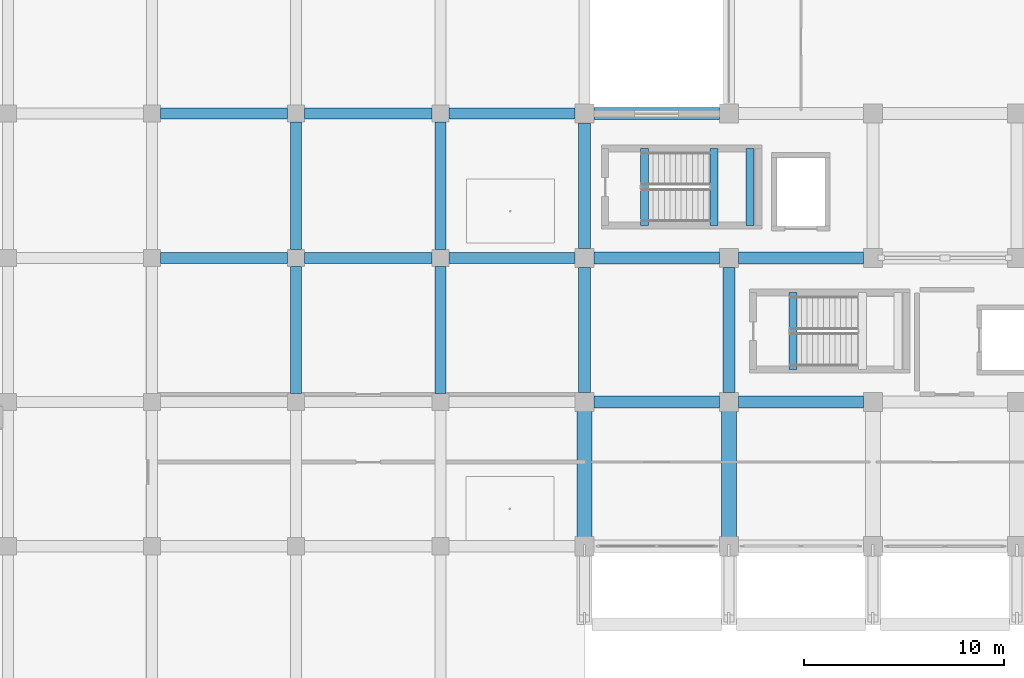
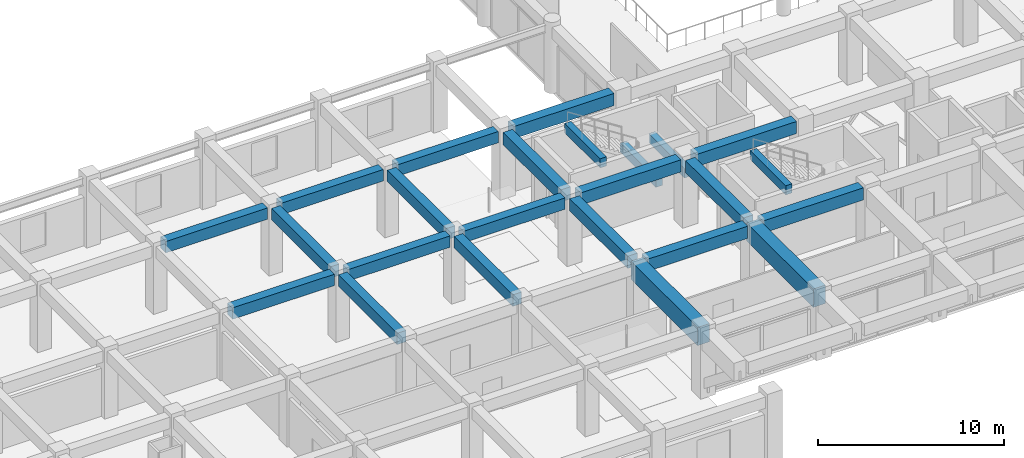
# One storey, part 4 of 54: 24 beams.
"""IFC4 building model written with IfcOpenShell, lengths in metres."""

import ifcopenshell
import ifcopenshell.guid

model = None  # the IFC model being written
_history = None  # IfcOwnerHistory: only IFC2X3 demands one
_inside = {}  # id of a spatial element -> (the spatial element, [elements in it])
_under = {}  # id of a project, library or spatial element -> (it, [spatial elements below it])
_declared = {}  # id of a project -> (the project, [libraries it declares])
_typed = {}  # id of a type object -> (the type object, [elements of that type])
_made_of = {}  # id of a material, layer set ... -> (it, [elements and type objects made of it])


def new_model(schema):
    """Start an empty IFC model of exactly this schema.

    Asked for "IFC4X3", IfcOpenShell would pick the latest addendum, in which some entities
    have other attributes; the version numbers below select the first issue.
    IFC2X3 requires an IfcOwnerHistory on every rooted entity: one is made here for all.
    """
    global model, _history
    if schema == "IFC4X3":
        model = ifcopenshell.file(schema_version=(4, 3, 0, 0))
    else:
        model = ifcopenshell.file(schema=schema)
    _inside.clear()
    _under.clear()
    _declared.clear()
    _typed.clear()
    _made_of.clear()
    _history = None
    if model.schema == "IFC2X3":
        org = make("IfcOrganization", Name="unknown")
        user = make(
            "IfcPersonAndOrganization",
            ThePerson=make("IfcPerson", FamilyName="unknown"),
            TheOrganization=org,
        )
        app = make(
            "IfcApplication",
            ApplicationDeveloper=org,
            Version="unknown",
            ApplicationFullName="unknown",
            ApplicationIdentifier="unknown",
        )
        _history = make(
            "IfcOwnerHistory",
            OwningUser=user,
            OwningApplication=app,
            ChangeAction="ADDED",
            CreationDate=0,
        )
    return model


def make(cls, **values):
    """One entity of the class cls with the attributes given. An attribute that is None is left unset."""
    return model.create_entity(
        cls, **{name: value for name, value in values.items() if value is not None}
    )


def rooted(cls, **values):
    """An entity with a GlobalId (a new one), such as an element, a storey or a relation."""
    return make(cls, GlobalId=ifcopenshell.guid.new(), OwnerHistory=_history, **values)


def si_unit(unit_type, name, prefix=None):
    """IfcSIUnit, for example si_unit("LENGTHUNIT", "METRE", prefix="MILLI")."""
    return make("IfcSIUnit", UnitType=unit_type, Prefix=prefix, Name=name)


def assignment(units):
    """IfcUnitAssignment: the units of a project."""
    return None if units is None else make("IfcUnitAssignment", Units=units)


def point(xyz):
    """IfcCartesianPoint."""
    return None if xyz is None else make("IfcCartesianPoint", Coordinates=xyz)


def direction(xyz):
    """IfcDirection."""
    return None if xyz is None else make("IfcDirection", DirectionRatios=xyz)


def frame(location, z_axis=None, x_axis=None):
    """IfcAxis2Placement3D, a coordinate frame: its origin and axes. An axis left out is left unset."""
    return make(
        "IfcAxis2Placement3D",
        Location=point(location),
        Axis=direction(z_axis),
        RefDirection=direction(x_axis),
    )


def frame_2d(location, x_axis=None):
    """IfcAxis2Placement2D, a coordinate frame in the plane: its origin and x axis."""
    return make(
        "IfcAxis2Placement2D", Location=point(location), RefDirection=direction(x_axis)
    )


def origin():
    """The frame at (0, 0, 0) with its axes left unset."""
    return frame((0.0, 0.0, 0.0))


def origin_2d():
    """The frame at (0, 0) in the plane with its x axis left unset."""
    return frame_2d((0.0, 0.0))


def place(relative_to, where):
    """IfcLocalPlacement: puts the frame where relative to a parent placement (None: the world)."""
    return make(
        "IfcLocalPlacement", PlacementRelTo=relative_to, RelativePlacement=where
    )


def context(
    kind, dimensions, precision=None, world=None, true_north=None, identifier=None
):
    """IfcGeometricRepresentationContext, for example the 3D "Model" context."""
    return make(
        "IfcGeometricRepresentationContext",
        ContextIdentifier=identifier,
        ContextType=kind,
        CoordinateSpaceDimension=dimensions,
        Precision=precision,
        WorldCoordinateSystem=world,
        TrueNorth=true_north,
    )


def subcontext(parent, identifier, kind, view, scale=None):
    """IfcGeometricRepresentationSubContext, for example "Body" below "Model"."""
    return make(
        "IfcGeometricRepresentationSubContext",
        ContextIdentifier=identifier,
        ContextType=kind,
        ParentContext=parent,
        TargetScale=scale,
        TargetView=view,
    )


def project(units=None, contexts=None):
    """IfcProject with its units and contexts."""
    return rooted(
        "IfcProject",
        Name="project",
        RepresentationContexts=contexts,
        UnitsInContext=assignment(units),
    )


def spatial(cls, under=None, at=None, **own):
    """A site, building, storey or space (cls), placed at a placement, below another one or the project."""
    s = rooted(cls, ObjectPlacement=at, **own)
    if under is not None:
        _under.setdefault(under.id(), (under, []))[1].append(s)
    return s


def profile(cls, at=None, kind="AREA", **sizes):
    """A parametric profile (cls). Its sizes go by their IFC names, for example OverallWidth=200.0."""
    return make(cls, ProfileType=kind, Position=at, **sizes)


def rectangle(**sizes):
    """IfcRectangleProfileDef."""
    return profile("IfcRectangleProfileDef", **sizes)


def extrude(swept, where, along, depth):
    """IfcExtrudedAreaSolid: the profile swept, set in the frame where, extruded along a direction by depth."""
    return make(
        "IfcExtrudedAreaSolid",
        SweptArea=swept,
        Position=where,
        ExtrudedDirection=direction(along),
        Depth=depth,
    )


def shape(context_of_items, identifier, shape_type, items):
    """IfcShapeRepresentation: the items that make up one representation, for example the "Body"."""
    return make(
        "IfcShapeRepresentation",
        ContextOfItems=context_of_items,
        RepresentationIdentifier=identifier,
        RepresentationType=shape_type,
        Items=items,
    )


def material(Name=None, Category=None):
    """IfcMaterial."""
    return make("IfcMaterial", Name=Name, Category=Category)


def material_profile(
    of_material, cross_section, Name=None, Category=None, Priority=None
):
    """IfcMaterialProfile: a cross section and its material."""
    return make(
        "IfcMaterialProfile",
        Name=Name,
        Material=of_material,
        Profile=cross_section,
        Priority=Priority,
        Category=Category,
    )


def profile_set(profiles, Name=None, composite=None):
    """IfcMaterialProfileSet."""
    return make(
        "IfcMaterialProfileSet",
        Name=Name,
        MaterialProfiles=profiles,
        CompositeProfile=composite,
    )


def made_of(thing, what):
    """Note that an element or type object is made of a material, layer set ...; save() writes the relation."""
    if what is not None:
        _made_of.setdefault(what.id(), (what, []))[1].append(thing)
    return thing


def type_object(cls, material=None, **own):
    """A type object (cls), such as IfcWallType, which elements share."""
    return made_of(rooted(cls, **own), material)


def element(
    cls,
    number,
    at=None,
    inside=None,
    cuts=None,
    type_object=None,
    material=None,
    context=None,
    identifier="Body",
    shape_type=None,
    held_by="IfcProductDefinitionShape",
    body=None,
    shapes=None,
    **own,
):
    """One element of the class cls, such as IfcWall. Its Tag is "e" and its number.

    at: its placement. inside: the storey or other place that contains it. cuts: it is an
    opening in that element (IfcRelVoidsElement). A single representation is given by context,
    identifier, shape_type and body (its items); several are given by shapes. held_by: the class
    of the entity that holds the representations. save() writes the other relations.
    """
    e = rooted(cls, Tag="e%d" % number, ObjectPlacement=at, **own)
    if body is not None:
        shapes = [shape(context, identifier, shape_type, body)]
    if shapes is not None:
        e.Representation = make(held_by, Representations=shapes)
    if inside is not None:
        _inside.setdefault(inside.id(), (inside, []))[1].append(e)
    if cuts is not None:
        rooted(
            "IfcRelVoidsElement", RelatingBuildingElement=cuts, RelatedOpeningElement=e
        )
    if type_object is not None:
        _typed.setdefault(type_object.id(), (type_object, []))[1].append(e)
    return made_of(e, material)


def aggregate(whole, parts):
    """IfcRelAggregates: a whole, such as a stair, and the parts it consists of."""
    return rooted("IfcRelAggregates", RelatingObject=whole, RelatedObjects=parts)


def save(model, path):
    """Write the relations noted so far, then the file.

    IfcRelAggregates (storeys below a building ...), IfcRelContainedInSpatialStructure (elements
    in a storey), IfcRelDefinesByType, IfcRelAssociatesMaterial and IfcRelDeclares: one each for
    every whole, place, type object, material and project.
    """
    for whole, parts in _under.values():
        aggregate(whole, parts)
    for where, things in _inside.values():
        rooted(
            "IfcRelContainedInSpatialStructure",
            RelatedElements=things,
            RelatingStructure=where,
        )
    for kind, things in _typed.values():
        rooted("IfcRelDefinesByType", RelatedObjects=things, RelatingType=kind)
    for what, things in _made_of.values():
        rooted("IfcRelAssociatesMaterial", RelatedObjects=things, RelatingMaterial=what)
    for by, libraries in _declared.values():
        rooted("IfcRelDeclares", RelatingContext=by, RelatedDefinitions=libraries)
    model.write(path)


model = new_model("IFC4")

# Units and contexts
model_context = context("Model", 3, precision=1e-05, world=origin(), true_north=direction((0.0, 1.0)))
body_context = subcontext(model_context, "Body", "Model", "MODEL_VIEW")
ifc_project = project(units=[si_unit("LENGTHUNIT", "METRE"), si_unit("AREAUNIT", "SQUARE_METRE"), si_unit("VOLUMEUNIT", "CUBIC_METRE"), si_unit("PLANEANGLEUNIT", "RADIAN"), si_unit("MASSUNIT", "GRAM", prefix="KILO")], contexts=[model_context])

# Site, building, storey
site_placement = place(None, origin())
site = spatial("IfcSite", under=ifc_project, at=site_placement, CompositionType="ELEMENT")
building_placement = place(site_placement, origin())
building = spatial("IfcBuilding", under=site, at=building_placement, Name="Kazehaya Institute of Natural Sciences", CompositionType="ELEMENT")
storey_placement = place(building_placement, frame((0.0, 0.0, 10.43994140625)))
storey = spatial("IfcBuildingStorey", under=building, at=storey_placement, Name="L02", CompositionType="ELEMENT", Elevation=10.43994140625)

# Beams
ifc_material_1 = material(Name="Concrete Fc36", Category="concrete")
ifc_material_profile_1 = material_profile(ifc_material_1, rectangle(XDim=0.39990234375, YDim=0.60009765625, at=origin_2d()), Name="RC-400x600")
ifc_profile_set_1 = profile_set([ifc_material_profile_1], Name="Concrete Fc36")
beam_type_1 = type_object("IfcBeamType", Name="BM-B-400x600", PredefinedType="BEAM", material=ifc_profile_set_1)
beam_1_placement = place(storey_placement, frame((65.0, 22.820068359375, 4.380126953125), z_axis=(0.0, 1.0, 0.0), x_axis=(-1.0, 0.0, 0.0)))
element("IfcBeam", 1, at=beam_1_placement, inside=storey, type_object=beam_type_1, Name="L03 ST-1 stair header trimmer beam", PredefinedType="BEAM", context=body_context, shape_type="SweptSolid", body=[
    extrude(rectangle(XDim=0.39990234375, YDim=0.60009765625, at=origin_2d()), origin(), (0.0, 0.0, 1.0), 3.83984375),
])
for number, where, z_axis, x_axis, name in (
    (2, (57.60009765625, 30.02001953125, 4.380126953125), (0.0, 1.0, 0.0), (-1.0, 0.0, 0.0), "L03 ST-4 stair header trimmer beam"),
    (3, (61.070068359375, 30.02001953125, 1.880126953125), (0.0, 1.0, 0.0), (-1.0, 0.0, 0.0), "L02 ST-4 landing beam 1"),
    (4, (62.85009765625, 30.02001953125, 1.880126953125), (0.0, 1.0, 0.0), (-1.0, 0.0, 0.0), "L02 ST-4 landing beam 2"),
):
    element("IfcBeam", number, at=place(storey_placement, frame(where, z_axis=z_axis, x_axis=x_axis)), inside=storey, type_object=beam_type_1, Name=name, PredefinedType="BEAM", context=body_context, shape_type="SweptSolid", body=[
        extrude(rectangle(XDim=0.39990234375, YDim=0.60009765625, at=origin_2d()), origin(), (0.0, 0.0, 1.0), 3.840087890625),
    ])
ifc_material_profile_2 = material_profile(ifc_material_1, rectangle(XDim=0.550048828125, YDim=0.75, at=origin_2d()), Name="RC-550x750")
ifc_profile_set_2 = profile_set([ifc_material_profile_2], Name="Concrete Fc36")
beam_type_2 = type_object("IfcBeamType", Name="BM-G-550x750", PredefinedType="BEAM", material=ifc_profile_set_2)
beam_2_placement = place(storey_placement, frame((33.425048828125, 28.39990234375, 4.03515625), z_axis=(1.0, 0.0, 0.0), x_axis=(0.0, 1.0, 0.0)))
element("IfcBeam", 5, at=beam_2_placement, inside=storey, type_object=beam_type_2, Name="L02 primary X girder BMX-L02-330-284", PredefinedType="BEAM", context=body_context, shape_type="SweptSolid", body=[
    extrude(rectangle(XDim=0.550048828125, YDim=0.75, at=origin_2d()), origin(), (0.0, 0.0, 1.0), 6.349853515625),
])
beam_3_placement = place(storey_placement, frame((40.625, 28.39990234375, 4.03515625), z_axis=(1.0, 0.0, 0.0), x_axis=(0.0, 1.0, 0.0)))
element("IfcBeam", 6, at=beam_3_placement, inside=storey, type_object=beam_type_2, Name="L02 primary X girder BMX-L02-402-284", PredefinedType="BEAM", context=body_context, shape_type="SweptSolid", body=[
    extrude(rectangle(XDim=0.550048828125, YDim=0.75, at=origin_2d()), origin(), (0.0, 0.0, 1.0), 6.35009765625),
])
beam_4_placement = place(storey_placement, frame((47.824951171875, 28.39990234375, 4.03515625), z_axis=(1.0, 0.0, 0.0), x_axis=(0.0, 1.0, 0.0)))
element("IfcBeam", 7, at=beam_4_placement, inside=storey, type_object=beam_type_2, Name="L02 primary X girder BMX-L02-474-284", PredefinedType="BEAM", context=body_context, shape_type="SweptSolid", body=[
    extrude(rectangle(XDim=0.550048828125, YDim=0.75, at=origin_2d()), origin(), (0.0, 0.0, 1.0), 6.300048828125),
])
beam_5_placement = place(storey_placement, frame((33.425048828125, 35.60009765625, 4.03515625), z_axis=(1.0, 0.0, 0.0), x_axis=(0.0, 1.0, 0.0)))
element("IfcBeam", 8, at=beam_5_placement, inside=storey, type_object=beam_type_2, Name="L02 primary X girder BMX-L02-330-356", PredefinedType="BEAM", context=body_context, shape_type="SweptSolid", body=[
    extrude(rectangle(XDim=0.550048828125, YDim=0.75, at=origin_2d()), origin(), (0.0, 0.0, 1.0), 6.349853515625),
])
beam_6_placement = place(storey_placement, frame((40.625, 35.60009765625, 4.03515625), z_axis=(1.0, 0.0, 0.0), x_axis=(0.0, 1.0, 0.0)))
element("IfcBeam", 9, at=beam_6_placement, inside=storey, type_object=beam_type_2, Name="L02 primary X girder BMX-L02-402-356", PredefinedType="BEAM", context=body_context, shape_type="SweptSolid", body=[
    extrude(rectangle(XDim=0.550048828125, YDim=0.75, at=origin_2d()), origin(), (0.0, 0.0, 1.0), 6.35009765625),
])
beam_7_placement = place(storey_placement, frame((47.824951171875, 35.60009765625, 4.03515625), z_axis=(1.0, 0.0, 0.0), x_axis=(0.0, 1.0, 0.0)))
element("IfcBeam", 10, at=beam_7_placement, inside=storey, type_object=beam_type_2, Name="L02 primary X girder BMX-L02-474-356", PredefinedType="BEAM", context=body_context, shape_type="SweptSolid", body=[
    extrude(rectangle(XDim=0.550048828125, YDim=0.75, at=origin_2d()), origin(), (0.0, 0.0, 1.0), 6.300048828125),
])
for number, where, z_axis, x_axis, name in (
    (11, (40.199951171875, 21.625, 4.03515625), (0.0, 1.0, 0.0), (-1.0, 0.0, 0.0), "L02 primary Y girder BMY-L02-402-212"),
    (12, (40.199951171875, 28.824951171875, 4.03515625), (0.0, 1.0, 0.0), (-1.0, 0.0, 0.0), "L02 primary Y girder BMY-L02-402-284"),
    (13, (47.39990234375, 21.625, 4.03515625), (0.0, 1.0, 0.0), (-1.0, 0.0, 0.0), "L02 primary Y girder BMY-L02-474-212"),
    (14, (47.39990234375, 28.824951171875, 4.03515625), (0.0, 1.0, 0.0), (-1.0, 0.0, 0.0), "L02 primary Y girder BMY-L02-474-284"),
):
    element("IfcBeam", number, at=place(storey_placement, frame(where, z_axis=z_axis, x_axis=x_axis)), inside=storey, type_object=beam_type_2, Name=name, PredefinedType="BEAM", context=body_context, shape_type="SweptSolid", body=[
        extrude(rectangle(XDim=0.550048828125, YDim=0.75, at=origin_2d()), origin(), (0.0, 0.0, 1.0), 6.35009765625),
    ])
ifc_material_profile_3 = material_profile(ifc_material_1, rectangle(XDim=0.60009765625, YDim=0.800048828125, at=origin_2d()), Name="RC-600x800")
ifc_profile_set_3 = profile_set([ifc_material_profile_3], Name="Concrete Fc36")
beam_type_3 = type_object("IfcBeamType", Name="BM-G-600x800", PredefinedType="BEAM", material=ifc_profile_set_3)
for number, where, z_axis, x_axis, name in (
    (15, (55.074951171875, 21.199951171875, 4.010009765625), (1.0, 0.0, 0.0), (0.0, 1.0, 0.0), "L02 primary X girder BMX-L02-546-212"),
    (16, (62.27490234375, 21.199951171875, 4.010009765625), (1.0, 0.0, 0.0), (0.0, 1.0, 0.0), "L02 primary X girder BMX-L02-618-212"),
    (17, (55.074951171875, 28.39990234375, 4.010009765625), (1.0, 0.0, 0.0), (0.0, 1.0, 0.0), "L02 primary X girder BMX-L02-546-284"),
    (18, (62.27490234375, 28.39990234375, 4.010009765625), (1.0, 0.0, 0.0), (0.0, 1.0, 0.0), "L02 primary X girder BMX-L02-618-284"),
    (19, (55.074951171875, 35.60009765625, 4.010009765625), (1.0, 0.0, 0.0), (0.0, 1.0, 0.0), "L02 primary X girder BMX-L02-546-356"),
    (20, (54.60009765625, 21.675048828125, 4.010009765625), (0.0, 1.0, 0.0), (-1.0, 0.0, 0.0), "L02 primary Y girder BMY-L02-546-212"),
    (21, (54.60009765625, 28.875, 4.010009765625), (0.0, 1.0, 0.0), (-1.0, 0.0, 0.0), "L02 primary Y girder BMY-L02-546-284"),
    (22, (61.800048828125, 21.675048828125, 4.010009765625), (0.0, 1.0, 0.0), (-1.0, 0.0, 0.0), "L02 primary Y girder BMY-L02-618-212"),
):
    element("IfcBeam", number, at=place(storey_placement, frame(where, z_axis=z_axis, x_axis=x_axis)), inside=storey, type_object=beam_type_3, Name=name, PredefinedType="BEAM", context=body_context, shape_type="SweptSolid", body=[
        extrude(rectangle(XDim=0.60009765625, YDim=0.800048828125, at=origin_2d()), origin(), (0.0, 0.0, 1.0), 6.25),
    ])
ifc_material_2 = material(Name="Concrete Fc42", Category="concrete")
ifc_material_profile_4 = material_profile(ifc_material_2, rectangle(XDim=0.75, YDim=1.199951171875, at=origin_2d()), Name="RC-750x1200")
ifc_profile_set_4 = profile_set([ifc_material_profile_4], Name="Concrete Fc42")
beam_type_4 = type_object("IfcBeamType", Name="BM-TG-750x1200", PredefinedType="BEAM", material=ifc_profile_set_4)
for number, where, z_axis, x_axis, name in (
    (23, (54.60009765625, 14.0, 3.81005859375), (0.0, 1.0, 0.0), (-1.0, 0.0, 0.0), "L02 transfer girder back-span 1197"),
    (24, (61.800048828125, 14.0, 3.81005859375), (0.0, 1.0, 0.0), (-1.0, 0.0, 0.0), "L02 transfer girder back-span 1202"),
):
    element("IfcBeam", number, at=place(storey_placement, frame(where, z_axis=z_axis, x_axis=x_axis)), inside=storey, type_object=beam_type_4, Name=name, PredefinedType="BEAM", context=body_context, shape_type="SweptSolid", body=[
        extrude(rectangle(XDim=0.75, YDim=1.199951171875, at=origin_2d()), origin(), (0.0, 0.0, 1.0), 7.199951171875),
    ])

save(model, "model.ifc")
